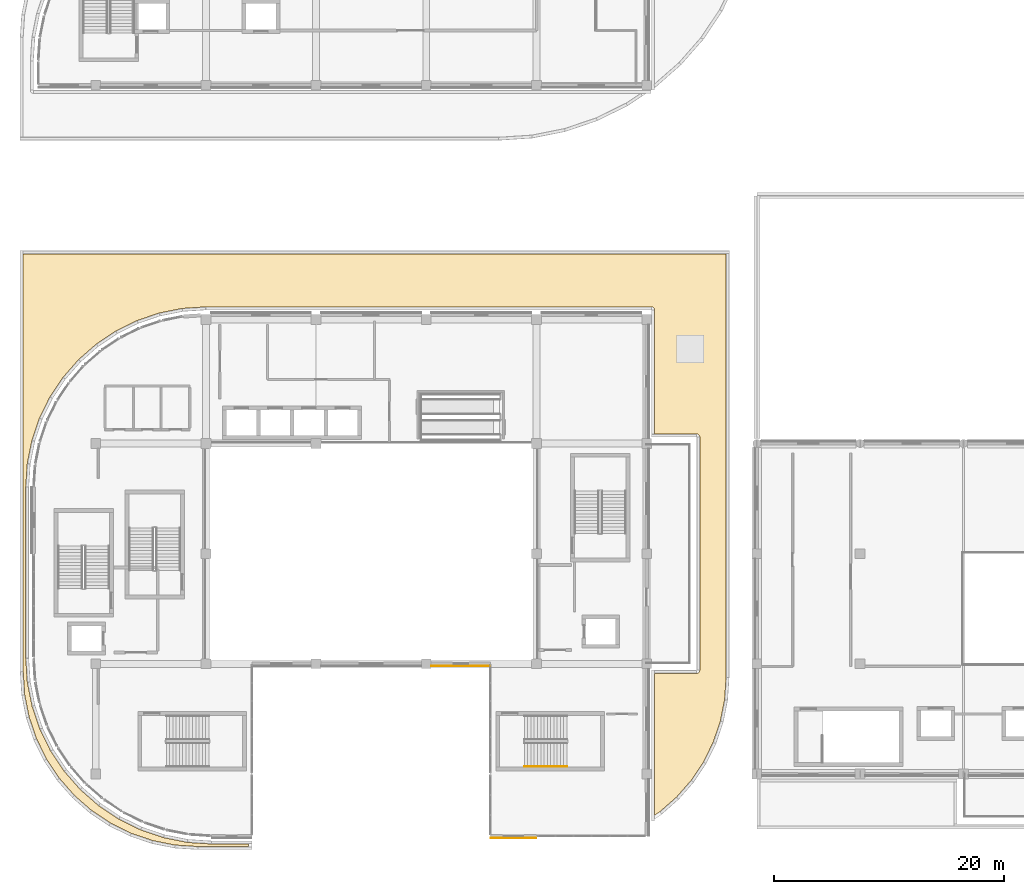
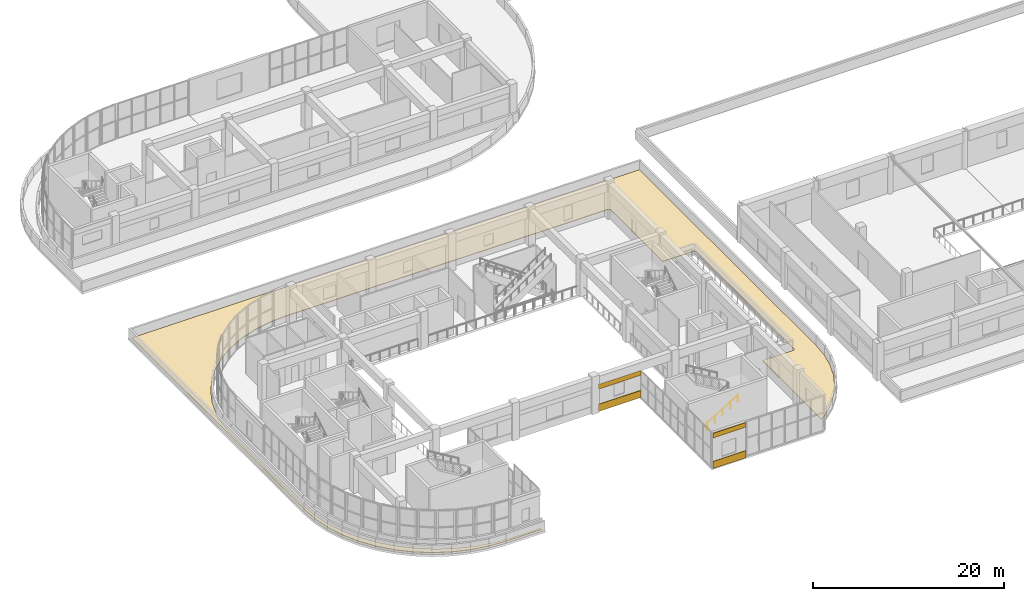
# One storey, part 56 of 67: 5 coverings, 1 railing.
"""IFC4 building model written with IfcOpenShell, lengths in metres."""

import ifcopenshell
import ifcopenshell.guid

model = None  # the IFC model being written
_history = None  # IfcOwnerHistory: only IFC2X3 demands one
_inside = {}  # id of a spatial element -> (the spatial element, [elements in it])
_under = {}  # id of a project, library or spatial element -> (it, [spatial elements below it])
_declared = {}  # id of a project -> (the project, [libraries it declares])
_typed = {}  # id of a type object -> (the type object, [elements of that type])
_made_of = {}  # id of a material, layer set ... -> (it, [elements and type objects made of it])


def new_model(schema):
    """Start an empty IFC model of exactly this schema.

    Asked for "IFC4X3", IfcOpenShell would pick the latest addendum, in which some entities
    have other attributes; the version numbers below select the first issue.
    IFC2X3 requires an IfcOwnerHistory on every rooted entity: one is made here for all.
    """
    global model, _history
    if schema == "IFC4X3":
        model = ifcopenshell.file(schema_version=(4, 3, 0, 0))
    else:
        model = ifcopenshell.file(schema=schema)
    _inside.clear()
    _under.clear()
    _declared.clear()
    _typed.clear()
    _made_of.clear()
    _history = None
    if model.schema == "IFC2X3":
        org = make("IfcOrganization", Name="unknown")
        user = make(
            "IfcPersonAndOrganization",
            ThePerson=make("IfcPerson", FamilyName="unknown"),
            TheOrganization=org,
        )
        app = make(
            "IfcApplication",
            ApplicationDeveloper=org,
            Version="unknown",
            ApplicationFullName="unknown",
            ApplicationIdentifier="unknown",
        )
        _history = make(
            "IfcOwnerHistory",
            OwningUser=user,
            OwningApplication=app,
            ChangeAction="ADDED",
            CreationDate=0,
        )
    return model


def make(cls, **values):
    """One entity of the class cls with the attributes given. An attribute that is None is left unset."""
    return model.create_entity(
        cls, **{name: value for name, value in values.items() if value is not None}
    )


def rooted(cls, **values):
    """An entity with a GlobalId (a new one), such as an element, a storey or a relation."""
    return make(cls, GlobalId=ifcopenshell.guid.new(), OwnerHistory=_history, **values)


def si_unit(unit_type, name, prefix=None):
    """IfcSIUnit, for example si_unit("LENGTHUNIT", "METRE", prefix="MILLI")."""
    return make("IfcSIUnit", UnitType=unit_type, Prefix=prefix, Name=name)


def assignment(units):
    """IfcUnitAssignment: the units of a project."""
    return None if units is None else make("IfcUnitAssignment", Units=units)


def point(xyz):
    """IfcCartesianPoint."""
    return None if xyz is None else make("IfcCartesianPoint", Coordinates=xyz)


def direction(xyz):
    """IfcDirection."""
    return None if xyz is None else make("IfcDirection", DirectionRatios=xyz)


def frame(location, z_axis=None, x_axis=None):
    """IfcAxis2Placement3D, a coordinate frame: its origin and axes. An axis left out is left unset."""
    return make(
        "IfcAxis2Placement3D",
        Location=point(location),
        Axis=direction(z_axis),
        RefDirection=direction(x_axis),
    )


def frame_2d(location, x_axis=None):
    """IfcAxis2Placement2D, a coordinate frame in the plane: its origin and x axis."""
    return make(
        "IfcAxis2Placement2D", Location=point(location), RefDirection=direction(x_axis)
    )


def origin():
    """The frame at (0, 0, 0) with its axes left unset."""
    return frame((0.0, 0.0, 0.0))


def origin_2d():
    """The frame at (0, 0) in the plane with its x axis left unset."""
    return frame_2d((0.0, 0.0))


def place(relative_to, where):
    """IfcLocalPlacement: puts the frame where relative to a parent placement (None: the world)."""
    return make(
        "IfcLocalPlacement", PlacementRelTo=relative_to, RelativePlacement=where
    )


def context(
    kind, dimensions, precision=None, world=None, true_north=None, identifier=None
):
    """IfcGeometricRepresentationContext, for example the 3D "Model" context."""
    return make(
        "IfcGeometricRepresentationContext",
        ContextIdentifier=identifier,
        ContextType=kind,
        CoordinateSpaceDimension=dimensions,
        Precision=precision,
        WorldCoordinateSystem=world,
        TrueNorth=true_north,
    )


def subcontext(parent, identifier, kind, view, scale=None):
    """IfcGeometricRepresentationSubContext, for example "Body" below "Model"."""
    return make(
        "IfcGeometricRepresentationSubContext",
        ContextIdentifier=identifier,
        ContextType=kind,
        ParentContext=parent,
        TargetScale=scale,
        TargetView=view,
    )


def project(units=None, contexts=None):
    """IfcProject with its units and contexts."""
    return rooted(
        "IfcProject",
        Name="project",
        RepresentationContexts=contexts,
        UnitsInContext=assignment(units),
    )


def spatial(cls, under=None, at=None, **own):
    """A site, building, storey or space (cls), placed at a placement, below another one or the project."""
    s = rooted(cls, ObjectPlacement=at, **own)
    if under is not None:
        _under.setdefault(under.id(), (under, []))[1].append(s)
    return s


def polyline(points):
    """IfcPolyline through the points."""
    return make("IfcPolyline", Points=[point(p) for p in points])


def profile(cls, at=None, kind="AREA", **sizes):
    """A parametric profile (cls). Its sizes go by their IFC names, for example OverallWidth=200.0."""
    return make(cls, ProfileType=kind, Position=at, **sizes)


def rectangle(**sizes):
    """IfcRectangleProfileDef."""
    return profile("IfcRectangleProfileDef", **sizes)


def circle(**sizes):
    """IfcCircleProfileDef."""
    return profile("IfcCircleProfileDef", **sizes)


def outline(outer, holes=None, kind="AREA"):
    """IfcArbitraryClosedProfileDef: a profile drawn as a closed curve; with holes, ...WithVoids."""
    if holes is None:
        return make("IfcArbitraryClosedProfileDef", ProfileType=kind, OuterCurve=outer)
    return make(
        "IfcArbitraryProfileDefWithVoids",
        ProfileType=kind,
        OuterCurve=outer,
        InnerCurves=holes,
    )


def extrude(swept, where, along, depth):
    """IfcExtrudedAreaSolid: the profile swept, set in the frame where, extruded along a direction by depth."""
    return make(
        "IfcExtrudedAreaSolid",
        SweptArea=swept,
        Position=where,
        ExtrudedDirection=direction(along),
        Depth=depth,
    )


def shape(context_of_items, identifier, shape_type, items):
    """IfcShapeRepresentation: the items that make up one representation, for example the "Body"."""
    return make(
        "IfcShapeRepresentation",
        ContextOfItems=context_of_items,
        RepresentationIdentifier=identifier,
        RepresentationType=shape_type,
        Items=items,
    )


def material(Name=None, Category=None):
    """IfcMaterial."""
    return make("IfcMaterial", Name=Name, Category=Category)


def layer(
    of_material, thickness, ventilated=None, Name=None, Category=None, Priority=None
):
    """IfcMaterialLayer: one layer of a wall or slab, of a material (None: an air gap)."""
    return make(
        "IfcMaterialLayer",
        Material=of_material,
        LayerThickness=thickness,
        IsVentilated=ventilated,
        Name=Name,
        Category=Category,
        Priority=Priority,
    )


def layer_set(layers, Name=None):
    """IfcMaterialLayerSet."""
    return make("IfcMaterialLayerSet", MaterialLayers=layers, LayerSetName=Name)


def made_of(thing, what):
    """Note that an element or type object is made of a material, layer set ...; save() writes the relation."""
    if what is not None:
        _made_of.setdefault(what.id(), (what, []))[1].append(thing)
    return thing


def type_object(cls, material=None, **own):
    """A type object (cls), such as IfcWallType, which elements share."""
    return made_of(rooted(cls, **own), material)


def element(
    cls,
    number,
    at=None,
    inside=None,
    cuts=None,
    type_object=None,
    material=None,
    context=None,
    identifier="Body",
    shape_type=None,
    held_by="IfcProductDefinitionShape",
    body=None,
    shapes=None,
    **own,
):
    """One element of the class cls, such as IfcWall. Its Tag is "e" and its number.

    at: its placement. inside: the storey or other place that contains it. cuts: it is an
    opening in that element (IfcRelVoidsElement). A single representation is given by context,
    identifier, shape_type and body (its items); several are given by shapes. held_by: the class
    of the entity that holds the representations. save() writes the other relations.
    """
    e = rooted(cls, Tag="e%d" % number, ObjectPlacement=at, **own)
    if body is not None:
        shapes = [shape(context, identifier, shape_type, body)]
    if shapes is not None:
        e.Representation = make(held_by, Representations=shapes)
    if inside is not None:
        _inside.setdefault(inside.id(), (inside, []))[1].append(e)
    if cuts is not None:
        rooted(
            "IfcRelVoidsElement", RelatingBuildingElement=cuts, RelatedOpeningElement=e
        )
    if type_object is not None:
        _typed.setdefault(type_object.id(), (type_object, []))[1].append(e)
    return made_of(e, material)


def aggregate(whole, parts):
    """IfcRelAggregates: a whole, such as a stair, and the parts it consists of."""
    return rooted("IfcRelAggregates", RelatingObject=whole, RelatedObjects=parts)


def save(model, path):
    """Write the relations noted so far, then the file.

    IfcRelAggregates (storeys below a building ...), IfcRelContainedInSpatialStructure (elements
    in a storey), IfcRelDefinesByType, IfcRelAssociatesMaterial and IfcRelDeclares: one each for
    every whole, place, type object, material and project.
    """
    for whole, parts in _under.values():
        aggregate(whole, parts)
    for where, things in _inside.values():
        rooted(
            "IfcRelContainedInSpatialStructure",
            RelatedElements=things,
            RelatingStructure=where,
        )
    for kind, things in _typed.values():
        rooted("IfcRelDefinesByType", RelatedObjects=things, RelatingType=kind)
    for what, things in _made_of.values():
        rooted("IfcRelAssociatesMaterial", RelatedObjects=things, RelatingMaterial=what)
    for by, libraries in _declared.values():
        rooted("IfcRelDeclares", RelatingContext=by, RelatedDefinitions=libraries)
    model.write(path)


model = new_model("IFC4")

# Units and contexts
model_context = context("Model", 3, precision=1e-05, world=origin(), true_north=direction((0.0, 1.0)))
body_context = subcontext(model_context, "Body", "Model", "MODEL_VIEW")
ifc_project = project(units=[si_unit("LENGTHUNIT", "METRE"), si_unit("AREAUNIT", "SQUARE_METRE"), si_unit("VOLUMEUNIT", "CUBIC_METRE"), si_unit("PLANEANGLEUNIT", "RADIAN"), si_unit("MASSUNIT", "GRAM", prefix="KILO")], contexts=[model_context])

# Site, building, storey
site_placement = place(None, origin())
site = spatial("IfcSite", under=ifc_project, at=site_placement, CompositionType="ELEMENT")
building_placement = place(site_placement, origin())
building = spatial("IfcBuilding", under=site, at=building_placement, Name="Cendralis Terraced Arcade", CompositionType="ELEMENT")
storey_placement = place(building_placement, frame((0.0, 0.0, 15.0)))
storey = spatial("IfcBuildingStorey", under=building, at=storey_placement, Name="L03", CompositionType="ELEMENT", Elevation=15.0)

# Coverings
ifc_material_1 = material(Name="Precast concrete f'c 40 MPa", Category="concrete")
ifc_layer_1 = layer(ifc_material_1, 0.06494140625, Name="COV-CLAD-GRC-65")
ifc_layer_set_1 = layer_set([ifc_layer_1], Name="Precast concrete f'c 40 MPa")
covering_type_1 = type_object("IfcCoveringType", Name="COV-CLAD-GRC-65", PredefinedType="CLADDING", material=ifc_layer_set_1)
covering_1_placement = place(storey_placement, frame((46.0, 4.02001953125, 0.0), z_axis=(0.0, 0.0, 1.0), x_axis=(-1.0, 0.0, 0.0)))
element("IfcCovering", 1, at=covering_1_placement, inside=storey, type_object=covering_type_1, Name="Banded Precast Stone Spandrel Cladding L03-399", PredefinedType="CLADDING", context=body_context, shape_type="SweptSolid", body=[
    extrude(rectangle(XDim=3.93994140625, YDim=0.06494140625, at=origin_2d()), origin(), (0.0, 0.0, 1.0), 0.89990234375),
])
covering_2_placement = place(storey_placement, frame((46.0, 4.02001953125, 3.89990234375), z_axis=(0.0, 0.0, 1.0), x_axis=(-1.0, 0.0, 0.0)))
element("IfcCovering", 2, at=covering_2_placement, inside=storey, type_object=covering_type_1, Name="Banded Precast Stone Lintel Cladding L03-400", PredefinedType="CLADDING", context=body_context, shape_type="SweptSolid", body=[
    extrude(rectangle(XDim=3.93994140625, YDim=0.06494140625, at=origin_2d()), origin(), (0.0, 0.0, 1.0), 0.60009765625),
])
covering_3_placement = place(storey_placement, frame((41.41162109375, 19.02001953125, 0.0), z_axis=(0.0, 0.0, 1.0), x_axis=(-1.0, 0.0, 0.0)))
element("IfcCovering", 3, at=covering_3_placement, inside=storey, type_object=covering_type_1, Name="Banded Precast Stone Spandrel Cladding L03-401", PredefinedType="CLADDING", context=body_context, shape_type="SweptSolid", body=[
    extrude(rectangle(XDim=5.116943359375, YDim=0.06494140625, at=origin_2d()), origin(), (0.0, 0.0, 1.0), 0.89990234375),
])
covering_4_placement = place(storey_placement, frame((41.41162109375, 19.02001953125, 2.83984375), z_axis=(0.0, 0.0, 1.0), x_axis=(-1.0, 0.0, 0.0)))
element("IfcCovering", 4, at=covering_4_placement, inside=storey, type_object=covering_type_1, Name="Banded Precast Stone Lintel Cladding L03-402", PredefinedType="CLADDING", context=body_context, shape_type="SweptSolid", body=[
    extrude(rectangle(XDim=5.116943359375, YDim=0.06494140625, at=origin_2d()), origin(), (0.0, 0.0, 1.0), 0.60009765625),
])
ifc_material_2 = material(Name="TPO insulated waterproofing membrane")
ifc_layer_2 = layer(ifc_material_2, 0.080078125, Name="COV-ROOF-MEM-80")
ifc_layer_set_2 = layer_set([ifc_layer_2], Name="TPO insulated waterproofing membrane")
covering_type_2 = type_object("IfcCoveringType", Name="COV-ROOF-MEM-80", PredefinedType="ROOFING", material=ifc_layer_set_2)
covering_5_placement = place(storey_placement, origin())
element("IfcCovering", 5, at=covering_5_placement, inside=storey, type_object=covering_type_2, Name="Insulated Waterproofing Roof Membrane L03-05", PredefinedType="ROOFING", context=body_context, shape_type="SweptSolid", body=[
    extrude(outline(polyline([(62.54736328125, 10.640380859375), (61.477783203125, 9.039306640625), (60.208251953125, 7.591796875), (58.760498046875, 6.322265625), (58.300048828125, 6.0146484375), (58.300048828125, 18.3701171875), (61.949951171875, 18.3701171875), (61.977294921875, 18.371337890625), (62.004638671875, 18.37548828125), (62.03125, 18.382080078125), (62.05712890625, 18.391357421875), (62.08203125, 18.403076171875), (62.105712890625, 18.417236328125), (62.127685546875, 18.43359375), (62.14794921875, 18.451904296875), (62.16650390625, 18.472412109375), (62.182861328125, 18.494384765625), (62.197021484375, 18.51806640625), (62.208740234375, 18.542724609375), (62.218017578125, 18.568603515625), (62.224609375, 18.595458984375), (62.228759765625, 18.62255859375), (62.22998046875, 18.64990234375), (62.22998046875, 38.949951171875), (62.228759765625, 38.977294921875), (62.224609375, 39.004638671875), (62.218017578125, 39.03125), (62.208740234375, 39.05712890625), (62.197021484375, 39.08203125), (62.182861328125, 39.105712890625), (62.16650390625, 39.127685546875), (62.14794921875, 39.14794921875), (62.127685546875, 39.16650390625), (62.105712890625, 39.182861328125), (62.08203125, 39.197021484375), (62.05712890625, 39.208740234375), (62.03125, 39.218017578125), (62.004638671875, 39.224609375), (61.977294921875, 39.228759765625), (61.949951171875, 39.22998046875), (58.300048828125, 39.22998046875), (58.300048828125, 50.02001953125), (58.298583984375, 50.04736328125), (58.294677734375, 50.07470703125), (58.287841796875, 50.101318359375), (58.27880859375, 50.127197265625), (58.266845703125, 50.152099609375), (58.252685546875, 50.175537109375), (58.236328125, 50.197509765625), (58.218017578125, 50.218017578125), (58.197509765625, 50.236328125), (58.175537109375, 50.252685546875), (58.152099609375, 50.266845703125), (58.127197265625, 50.27880859375), (58.101318359375, 50.287841796875), (58.07470703125, 50.294677734375), (58.04736328125, 50.298583984375), (58.02001953125, 50.300048828125), (19.186279296875, 50.300048828125), (19.16796875, 50.29931640625), (17.1689453125, 50.16845703125), (17.132568359375, 50.16357421875), (15.154052734375, 49.77001953125), (15.118896484375, 49.760498046875), (13.20849609375, 49.1123046875), (13.1748046875, 49.09814453125), (11.36572265625, 48.2060546875), (11.333984375, 48.187744140625), (9.65673828125, 47.06689453125), (9.627685546875, 47.044677734375), (8.111083984375, 45.714599609375), (8.085205078125, 45.688720703125), (6.75537109375, 44.172119140625), (6.73291015625, 44.143310546875), (5.6123046875, 42.466064453125), (5.593994140625, 42.434326171875), (4.701904296875, 40.625244140625), (4.687744140625, 40.59130859375), (4.039306640625, 38.68115234375), (4.02978515625, 38.64599609375), (3.636474609375, 36.66748046875), (3.631591796875, 36.631103515625), (3.50048828125, 34.632080078125), (3.5, 34.61376953125), (3.5, 19.686279296875), (3.50048828125, 19.66796875), (3.635986328125, 17.603515625), (3.640625, 17.567138671875), (4.046875, 15.524658203125), (4.056396484375, 15.4892578125), (4.725830078125, 13.517333984375), (4.739990234375, 13.4833984375), (5.660888671875, 11.61572265625), (5.67919921875, 11.583984375), (6.836181640625, 9.852294921875), (6.858642578125, 9.823486328125), (8.231689453125, 8.257568359375), (8.257568359375, 8.231689453125), (9.823486328125, 6.858642578125), (9.852294921875, 6.836181640625), (11.583984375, 5.67919921875), (11.61572265625, 5.660888671875), (13.4833984375, 4.739990234375), (13.517333984375, 4.725830078125), (15.4892578125, 4.056396484375), (15.524658203125, 4.046875), (17.567138671875, 3.640625), (17.603515625, 3.635986328125), (19.66796875, 3.50048828125), (19.686279296875, 3.5), (22.919921875, 3.5), (22.919921875, 3.280029296875), (18.50927734375, 3.280029296875), (16.513427734375, 3.410888671875), (14.560791015625, 3.799072265625), (12.67578125, 4.439208984375), (10.890380859375, 5.319580078125), (9.235107421875, 6.425537109375), (7.73828125, 7.73828125), (6.425537109375, 9.235107421875), (5.319580078125, 10.890380859375), (4.439208984375, 12.67578125), (3.799072265625, 14.560791015625), (3.410888671875, 16.513427734375), (3.280029296875, 18.50927734375), (3.280029296875, 54.919921875), (64.52001953125, 54.919921875), (64.52001953125, 18.00927734375), (64.3935546875, 16.07861328125), (64.017822265625, 14.190185546875), (63.39892578125, 12.3671875), (62.54736328125, 10.640380859375)])), origin(), (0.0, 0.0, 1.0), 0.080078125),
])

# Railing
ifc_material_3 = material(Name="Brushed stainless steel AISI 316", Category="steel")
railing_type = type_object("IfcRailingType", Name="RL-STAIR-HAND-900", PredefinedType="HANDRAIL", material=ifc_material_3)
railing_placement = place(storey_placement, frame((46.949951171875, 10.25, 0.17138671875)))
element("IfcRailing", 6, at=railing_placement, inside=storey, type_object=railing_type, Name="L03 ST-03 stair handrail 1", PredefinedType="HANDRAIL", context=body_context, shape_type="SweptSolid", body=[
    extrude(circle(Radius=0.02392578125, at=origin_2d()), frame((0.0, 0.0, 0.8759765625), z_axis=(0.856934400257, 0.0, 0.515425487977), x_axis=(0.0, 1.0, 0.0)), (0.0, 0.0, 1.0), 4.32373046875),
    extrude(circle(Radius=0.02099609375, at=origin_2d()), origin(), (0.0, 0.0, 1.0), 0.851806640625),
    extrude(circle(Radius=0.02099609375, at=origin_2d()), frame((0.92626953125, 0.0, 0.55712890625)), (0.0, 0.0, 1.0), 0.851806640625),
    extrude(circle(Radius=0.02099609375, at=origin_2d()), frame((1.8525390625, 0.0, 1.1142578125)), (0.0, 0.0, 1.0), 0.851806640625),
    extrude(circle(Radius=0.02099609375, at=origin_2d()), frame((2.77880859375, 0.0, 1.67138671875)), (0.0, 0.0, 1.0), 0.851806640625),
    extrude(circle(Radius=0.02099609375, at=origin_2d()), frame((3.705078125, 0.0, 2.228515625)), (0.0, 0.0, 1.0), 0.851806640625),
])

save(model, "model.ifc")
